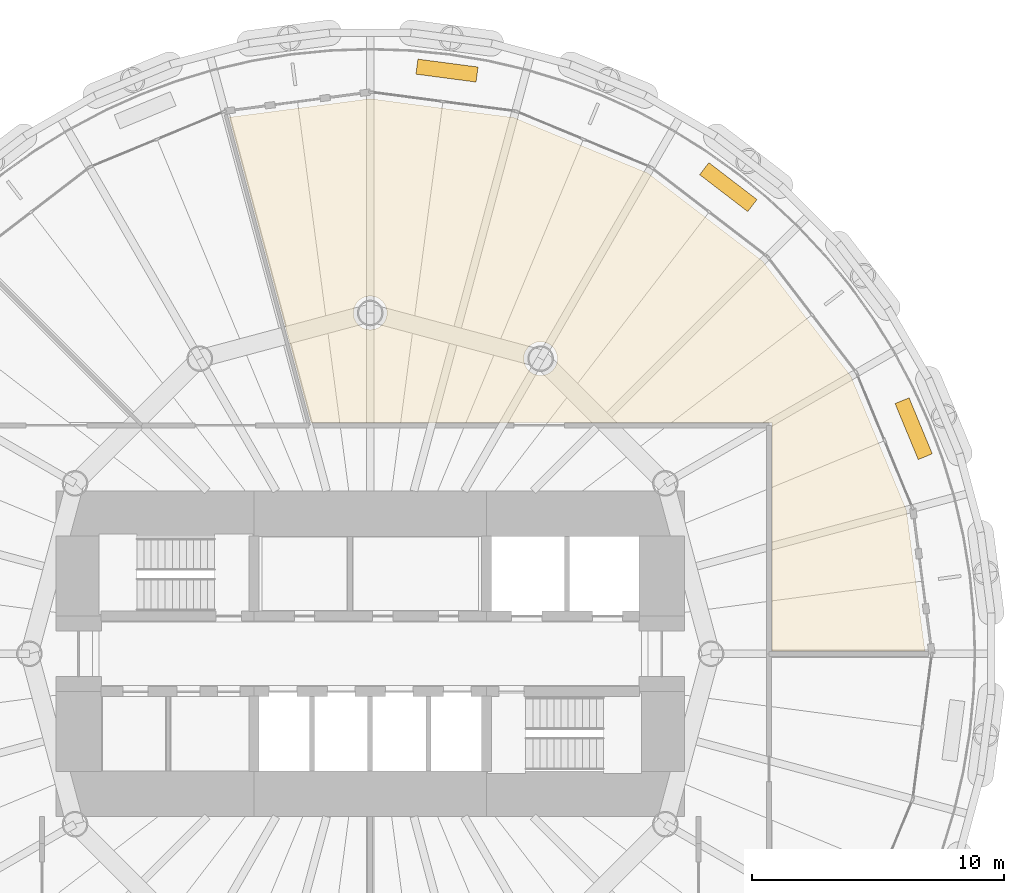
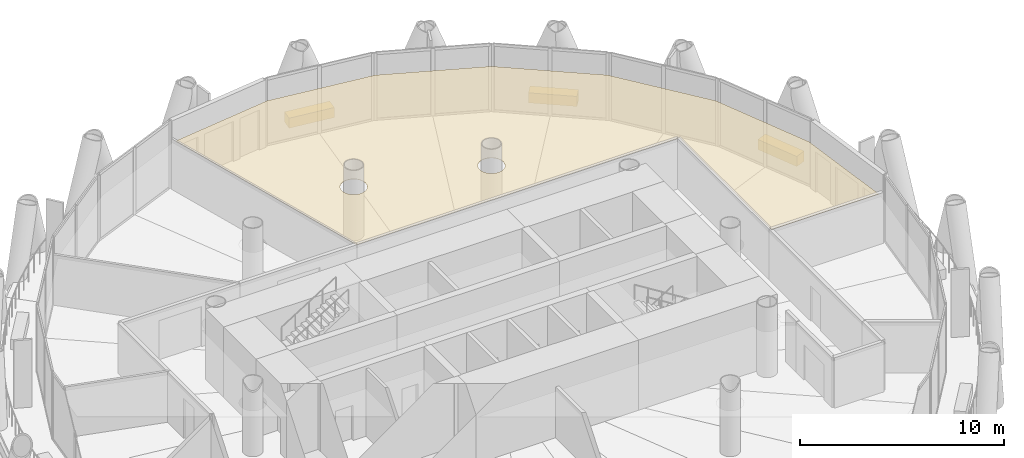
# One storey, part 15 of 15: 4 coverings.
"""IFC4 building model written with IfcOpenShell, lengths in metres."""

import ifcopenshell
import ifcopenshell.guid

model = None  # the IFC model being written
_history = None  # IfcOwnerHistory: only IFC2X3 demands one
_inside = {}  # id of a spatial element -> (the spatial element, [elements in it])
_under = {}  # id of a project, library or spatial element -> (it, [spatial elements below it])
_declared = {}  # id of a project -> (the project, [libraries it declares])
_typed = {}  # id of a type object -> (the type object, [elements of that type])
_made_of = {}  # id of a material, layer set ... -> (it, [elements and type objects made of it])


def new_model(schema):
    """Start an empty IFC model of exactly this schema.

    Asked for "IFC4X3", IfcOpenShell would pick the latest addendum, in which some entities
    have other attributes; the version numbers below select the first issue.
    IFC2X3 requires an IfcOwnerHistory on every rooted entity: one is made here for all.
    """
    global model, _history
    if schema == "IFC4X3":
        model = ifcopenshell.file(schema_version=(4, 3, 0, 0))
    else:
        model = ifcopenshell.file(schema=schema)
    _inside.clear()
    _under.clear()
    _declared.clear()
    _typed.clear()
    _made_of.clear()
    _history = None
    if model.schema == "IFC2X3":
        org = make("IfcOrganization", Name="unknown")
        user = make(
            "IfcPersonAndOrganization",
            ThePerson=make("IfcPerson", FamilyName="unknown"),
            TheOrganization=org,
        )
        app = make(
            "IfcApplication",
            ApplicationDeveloper=org,
            Version="unknown",
            ApplicationFullName="unknown",
            ApplicationIdentifier="unknown",
        )
        _history = make(
            "IfcOwnerHistory",
            OwningUser=user,
            OwningApplication=app,
            ChangeAction="ADDED",
            CreationDate=0,
        )
    return model


def make(cls, **values):
    """One entity of the class cls with the attributes given. An attribute that is None is left unset."""
    return model.create_entity(
        cls, **{name: value for name, value in values.items() if value is not None}
    )


def rooted(cls, **values):
    """An entity with a GlobalId (a new one), such as an element, a storey or a relation."""
    return make(cls, GlobalId=ifcopenshell.guid.new(), OwnerHistory=_history, **values)


def si_unit(unit_type, name, prefix=None):
    """IfcSIUnit, for example si_unit("LENGTHUNIT", "METRE", prefix="MILLI")."""
    return make("IfcSIUnit", UnitType=unit_type, Prefix=prefix, Name=name)


def assignment(units):
    """IfcUnitAssignment: the units of a project."""
    return None if units is None else make("IfcUnitAssignment", Units=units)


def point(xyz):
    """IfcCartesianPoint."""
    return None if xyz is None else make("IfcCartesianPoint", Coordinates=xyz)


def direction(xyz):
    """IfcDirection."""
    return None if xyz is None else make("IfcDirection", DirectionRatios=xyz)


def frame(location, z_axis=None, x_axis=None):
    """IfcAxis2Placement3D, a coordinate frame: its origin and axes. An axis left out is left unset."""
    return make(
        "IfcAxis2Placement3D",
        Location=point(location),
        Axis=direction(z_axis),
        RefDirection=direction(x_axis),
    )


def frame_2d(location, x_axis=None):
    """IfcAxis2Placement2D, a coordinate frame in the plane: its origin and x axis."""
    return make(
        "IfcAxis2Placement2D", Location=point(location), RefDirection=direction(x_axis)
    )


def origin():
    """The frame at (0, 0, 0) with its axes left unset."""
    return frame((0.0, 0.0, 0.0))


def origin_2d():
    """The frame at (0, 0) in the plane with its x axis left unset."""
    return frame_2d((0.0, 0.0))


def place(relative_to, where):
    """IfcLocalPlacement: puts the frame where relative to a parent placement (None: the world)."""
    return make(
        "IfcLocalPlacement", PlacementRelTo=relative_to, RelativePlacement=where
    )


def context(
    kind, dimensions, precision=None, world=None, true_north=None, identifier=None
):
    """IfcGeometricRepresentationContext, for example the 3D "Model" context."""
    return make(
        "IfcGeometricRepresentationContext",
        ContextIdentifier=identifier,
        ContextType=kind,
        CoordinateSpaceDimension=dimensions,
        Precision=precision,
        WorldCoordinateSystem=world,
        TrueNorth=true_north,
    )


def subcontext(parent, identifier, kind, view, scale=None):
    """IfcGeometricRepresentationSubContext, for example "Body" below "Model"."""
    return make(
        "IfcGeometricRepresentationSubContext",
        ContextIdentifier=identifier,
        ContextType=kind,
        ParentContext=parent,
        TargetScale=scale,
        TargetView=view,
    )


def project(units=None, contexts=None):
    """IfcProject with its units and contexts."""
    return rooted(
        "IfcProject",
        Name="project",
        RepresentationContexts=contexts,
        UnitsInContext=assignment(units),
    )


def spatial(cls, under=None, at=None, **own):
    """A site, building, storey or space (cls), placed at a placement, below another one or the project."""
    s = rooted(cls, ObjectPlacement=at, **own)
    if under is not None:
        _under.setdefault(under.id(), (under, []))[1].append(s)
    return s


def polyline(points):
    """IfcPolyline through the points."""
    return make("IfcPolyline", Points=[point(p) for p in points])


def profile(cls, at=None, kind="AREA", **sizes):
    """A parametric profile (cls). Its sizes go by their IFC names, for example OverallWidth=200.0."""
    return make(cls, ProfileType=kind, Position=at, **sizes)


def rectangle(**sizes):
    """IfcRectangleProfileDef."""
    return profile("IfcRectangleProfileDef", **sizes)


def outline(outer, holes=None, kind="AREA"):
    """IfcArbitraryClosedProfileDef: a profile drawn as a closed curve; with holes, ...WithVoids."""
    if holes is None:
        return make("IfcArbitraryClosedProfileDef", ProfileType=kind, OuterCurve=outer)
    return make(
        "IfcArbitraryProfileDefWithVoids",
        ProfileType=kind,
        OuterCurve=outer,
        InnerCurves=holes,
    )


def extrude(swept, where, along, depth):
    """IfcExtrudedAreaSolid: the profile swept, set in the frame where, extruded along a direction by depth."""
    return make(
        "IfcExtrudedAreaSolid",
        SweptArea=swept,
        Position=where,
        ExtrudedDirection=direction(along),
        Depth=depth,
    )


def shape(context_of_items, identifier, shape_type, items):
    """IfcShapeRepresentation: the items that make up one representation, for example the "Body"."""
    return make(
        "IfcShapeRepresentation",
        ContextOfItems=context_of_items,
        RepresentationIdentifier=identifier,
        RepresentationType=shape_type,
        Items=items,
    )


def material(Name=None, Category=None):
    """IfcMaterial."""
    return make("IfcMaterial", Name=Name, Category=Category)


def layer(
    of_material, thickness, ventilated=None, Name=None, Category=None, Priority=None
):
    """IfcMaterialLayer: one layer of a wall or slab, of a material (None: an air gap)."""
    return make(
        "IfcMaterialLayer",
        Material=of_material,
        LayerThickness=thickness,
        IsVentilated=ventilated,
        Name=Name,
        Category=Category,
        Priority=Priority,
    )


def layer_set(layers, Name=None):
    """IfcMaterialLayerSet."""
    return make("IfcMaterialLayerSet", MaterialLayers=layers, LayerSetName=Name)


def made_of(thing, what):
    """Note that an element or type object is made of a material, layer set ...; save() writes the relation."""
    if what is not None:
        _made_of.setdefault(what.id(), (what, []))[1].append(thing)
    return thing


def type_object(cls, material=None, **own):
    """A type object (cls), such as IfcWallType, which elements share."""
    return made_of(rooted(cls, **own), material)


def element(
    cls,
    number,
    at=None,
    inside=None,
    cuts=None,
    type_object=None,
    material=None,
    context=None,
    identifier="Body",
    shape_type=None,
    held_by="IfcProductDefinitionShape",
    body=None,
    shapes=None,
    **own,
):
    """One element of the class cls, such as IfcWall. Its Tag is "e" and its number.

    at: its placement. inside: the storey or other place that contains it. cuts: it is an
    opening in that element (IfcRelVoidsElement). A single representation is given by context,
    identifier, shape_type and body (its items); several are given by shapes. held_by: the class
    of the entity that holds the representations. save() writes the other relations.
    """
    e = rooted(cls, Tag="e%d" % number, ObjectPlacement=at, **own)
    if body is not None:
        shapes = [shape(context, identifier, shape_type, body)]
    if shapes is not None:
        e.Representation = make(held_by, Representations=shapes)
    if inside is not None:
        _inside.setdefault(inside.id(), (inside, []))[1].append(e)
    if cuts is not None:
        rooted(
            "IfcRelVoidsElement", RelatingBuildingElement=cuts, RelatedOpeningElement=e
        )
    if type_object is not None:
        _typed.setdefault(type_object.id(), (type_object, []))[1].append(e)
    return made_of(e, material)


def aggregate(whole, parts):
    """IfcRelAggregates: a whole, such as a stair, and the parts it consists of."""
    return rooted("IfcRelAggregates", RelatingObject=whole, RelatedObjects=parts)


def save(model, path):
    """Write the relations noted so far, then the file.

    IfcRelAggregates (storeys below a building ...), IfcRelContainedInSpatialStructure (elements
    in a storey), IfcRelDefinesByType, IfcRelAssociatesMaterial and IfcRelDeclares: one each for
    every whole, place, type object, material and project.
    """
    for whole, parts in _under.values():
        aggregate(whole, parts)
    for where, things in _inside.values():
        rooted(
            "IfcRelContainedInSpatialStructure",
            RelatedElements=things,
            RelatingStructure=where,
        )
    for kind, things in _typed.values():
        rooted("IfcRelDefinesByType", RelatedObjects=things, RelatingType=kind)
    for what, things in _made_of.values():
        rooted("IfcRelAssociatesMaterial", RelatedObjects=things, RelatingMaterial=what)
    for by, libraries in _declared.values():
        rooted("IfcRelDeclares", RelatingContext=by, RelatedDefinitions=libraries)
    model.write(path)


model = new_model("IFC4")

# Units and contexts
model_context = context("Model", 3, precision=1e-05, world=origin(), true_north=direction((0.0, 1.0)))
body_context = subcontext(model_context, "Body", "Model", "MODEL_VIEW")
ifc_project = project(units=[si_unit("LENGTHUNIT", "METRE"), si_unit("AREAUNIT", "SQUARE_METRE"), si_unit("VOLUMEUNIT", "CUBIC_METRE"), si_unit("PLANEANGLEUNIT", "RADIAN"), si_unit("MASSUNIT", "GRAM", prefix="KILO")], contexts=[model_context])

# Site, building, storey
site_placement = place(None, origin())
site = spatial("IfcSite", under=ifc_project, at=site_placement, CompositionType="ELEMENT")
building_placement = place(site_placement, origin())
building = spatial("IfcBuilding", under=site, at=building_placement, Name="Qaws Media Tower", CompositionType="ELEMENT")
storey_placement = place(building_placement, frame((0.0, 0.0, 164.60009765625)))
storey = spatial("IfcBuildingStorey", under=building, at=storey_placement, Name="L37", CompositionType="ELEMENT", Elevation=164.60009765625)

# Coverings
ifc_material_1 = material(Name="600 x 600 mineral fibre tiles in exposed grid, suspended", Category="mineral fibre")
ifc_layer_1 = layer(ifc_material_1, 0.02001953125)
ifc_layer_set_1 = layer_set([ifc_layer_1], Name="Mineral fibre tile ceiling 20")
covering_type_1 = type_object("IfcCoveringType", Name="Mineral fibre tile ceiling 20", PredefinedType="CEILING", material=ifc_layer_set_1)
covering_placement = place(storey_placement, frame((0.0, 0.0, 2.849853515625)))
element("IfcCovering", 1, at=covering_placement, inside=storey, type_object=covering_type_1, Name="CL1 ceiling L37-02 HR office", PredefinedType="CEILING", context=body_context, shape_type="SweptSolid", body=[
    extrude(outline(polyline([(60.0, 71.985107421875), (65.690185546875, 71.236083984375), (70.99267578125, 69.039794921875), (75.5458984375, 65.5458984375), (79.039794921875, 60.99267578125), (81.236083984375, 55.690185546875), (81.970458984375, 50.112548828125), (75.91259765625, 50.112548828125), (75.91259765625, 59.16259765625), (57.661376953125, 59.16259765625), (54.42236328125, 71.2509765625), (60.0, 71.985107421875)]), holes=[polyline([(60.6171875, 63.244384765625), (60.645263671875, 63.3271484375), (60.662353515625, 63.412841796875), (60.66796875, 63.5), (60.662353515625, 63.587158203125), (60.645263671875, 63.6728515625), (60.6171875, 63.755615234375), (60.57861328125, 63.833984375), (60.530029296875, 63.90673828125), (60.472412109375, 63.972412109375), (60.40673828125, 64.030029296875), (60.333984375, 64.07861328125), (60.255615234375, 64.1171875), (60.1728515625, 64.145263671875), (60.087158203125, 64.162353515625), (60.0, 64.16796875), (59.912841796875, 64.162353515625), (59.8271484375, 64.145263671875), (59.744384765625, 64.1171875), (59.666015625, 64.07861328125), (59.59326171875, 64.030029296875), (59.527587890625, 63.972412109375), (59.469970703125, 63.90673828125), (59.42138671875, 63.833984375), (59.3828125, 63.755615234375), (59.354736328125, 63.6728515625), (59.337646484375, 63.587158203125), (59.33203125, 63.5), (59.337646484375, 63.412841796875), (59.354736328125, 63.3271484375), (59.3828125, 63.244384765625), (59.42138671875, 63.166015625), (59.469970703125, 63.09326171875), (59.527587890625, 63.027587890625), (59.59326171875, 62.969970703125), (59.666015625, 62.92138671875), (59.744384765625, 62.8828125), (59.8271484375, 62.854736328125), (59.912841796875, 62.837646484375), (60.0, 62.83203125), (60.087158203125, 62.837646484375), (60.1728515625, 62.854736328125), (60.255615234375, 62.8828125), (60.333984375, 62.92138671875), (60.40673828125, 62.969970703125), (60.472412109375, 63.027587890625), (60.530029296875, 63.09326171875), (60.57861328125, 63.166015625), (60.6171875, 63.244384765625)]), polyline([(67.3671875, 61.435791015625), (67.395263671875, 61.5185546875), (67.412353515625, 61.604248046875), (67.41796875, 61.69140625), (67.412353515625, 61.778564453125), (67.395263671875, 61.8642578125), (67.3671875, 61.947021484375), (67.32861328125, 62.025390625), (67.280029296875, 62.097900390625), (67.222412109375, 62.163818359375), (67.15673828125, 62.22119140625), (67.083984375, 62.269775390625), (67.005615234375, 62.30859375), (66.9228515625, 62.336669921875), (66.837158203125, 62.353515625), (66.75, 62.359375), (66.662841796875, 62.353515625), (66.5771484375, 62.336669921875), (66.494384765625, 62.30859375), (66.416015625, 62.269775390625), (66.34326171875, 62.22119140625), (66.277587890625, 62.163818359375), (66.219970703125, 62.097900390625), (66.17138671875, 62.025390625), (66.1328125, 61.947021484375), (66.104736328125, 61.8642578125), (66.087646484375, 61.778564453125), (66.08203125, 61.69140625), (66.087646484375, 61.604248046875), (66.104736328125, 61.5185546875), (66.1328125, 61.435791015625), (66.17138671875, 61.357421875), (66.219970703125, 61.28466796875), (66.277587890625, 61.218994140625), (66.34326171875, 61.161376953125), (66.416015625, 61.11279296875), (66.494384765625, 61.07421875), (66.5771484375, 61.046142578125), (66.662841796875, 61.029052734375), (66.75, 61.023193359375), (66.837158203125, 61.029052734375), (66.9228515625, 61.046142578125), (67.005615234375, 61.07421875), (67.083984375, 61.11279296875), (67.15673828125, 61.161376953125), (67.222412109375, 61.218994140625), (67.280029296875, 61.28466796875), (67.32861328125, 61.357421875), (67.3671875, 61.435791015625)])]), origin(), (0.0, 0.0, 1.0), 0.02001953125),
])
ifc_material_2 = material(Name="Precast concrete planter with trailing planting", Category="concrete")
ifc_layer_2 = layer(ifc_material_2, 0.60009765625)
ifc_layer_set_2 = layer_set([ifc_layer_2], Name="Planter 2400x600")
covering_type_2 = type_object("IfcCoveringType", Name="Planter 2400x600", PredefinedType="USERDEFINED", material=ifc_layer_set_2)
for number, where, z_axis, x_axis, name in (
    (2, (81.5263671875, 58.91650390625, -0.000244140625), (0.0, 0.0, 1.0), (-0.382683432365, 0.923879532511, 0.0), "PL1 balcony planter L37-01"),
    (3, (74.18408203125, 68.485107421875, -0.000244140625), (0.0, 0.0, 1.0), (-0.793353340291, 0.608761429009, 0.0), "PL1 balcony planter L37-02"),
    (4, (63.041259765625, 73.1005859375, -0.000244140625), (0.0, 0.0, 1.0), (-0.991444861374, 0.13052619222, 0.0), "PL1 balcony planter L37-03"),
):
    element("IfcCovering", number, at=place(storey_placement, frame(where, z_axis=z_axis, x_axis=x_axis)), inside=storey, type_object=covering_type_2, Name=name, ObjectType="PLANTER", PredefinedType="USERDEFINED", context=body_context, shape_type="SweptSolid", body=[
        extrude(rectangle(XDim=2.39990234375, YDim=0.60009765625, at=origin_2d()), origin(), (0.0, 0.0, 1.0), 0.60009765625),
    ])

save(model, "model.ifc")
